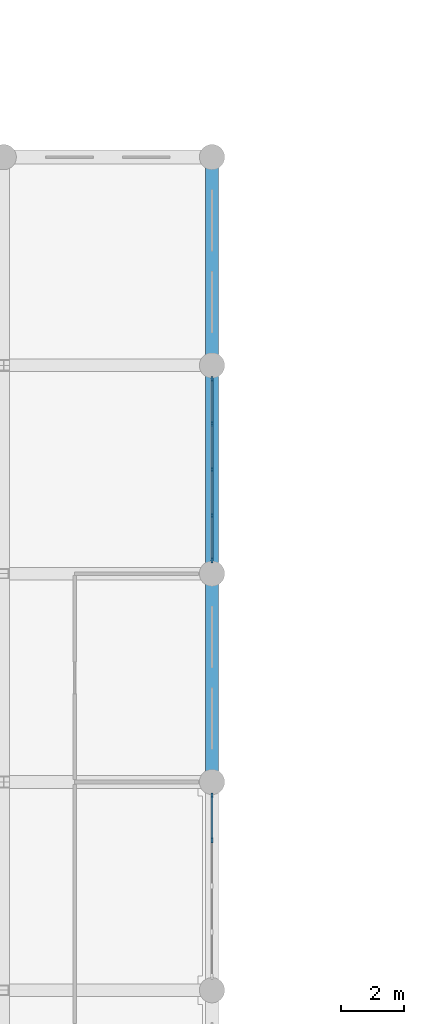
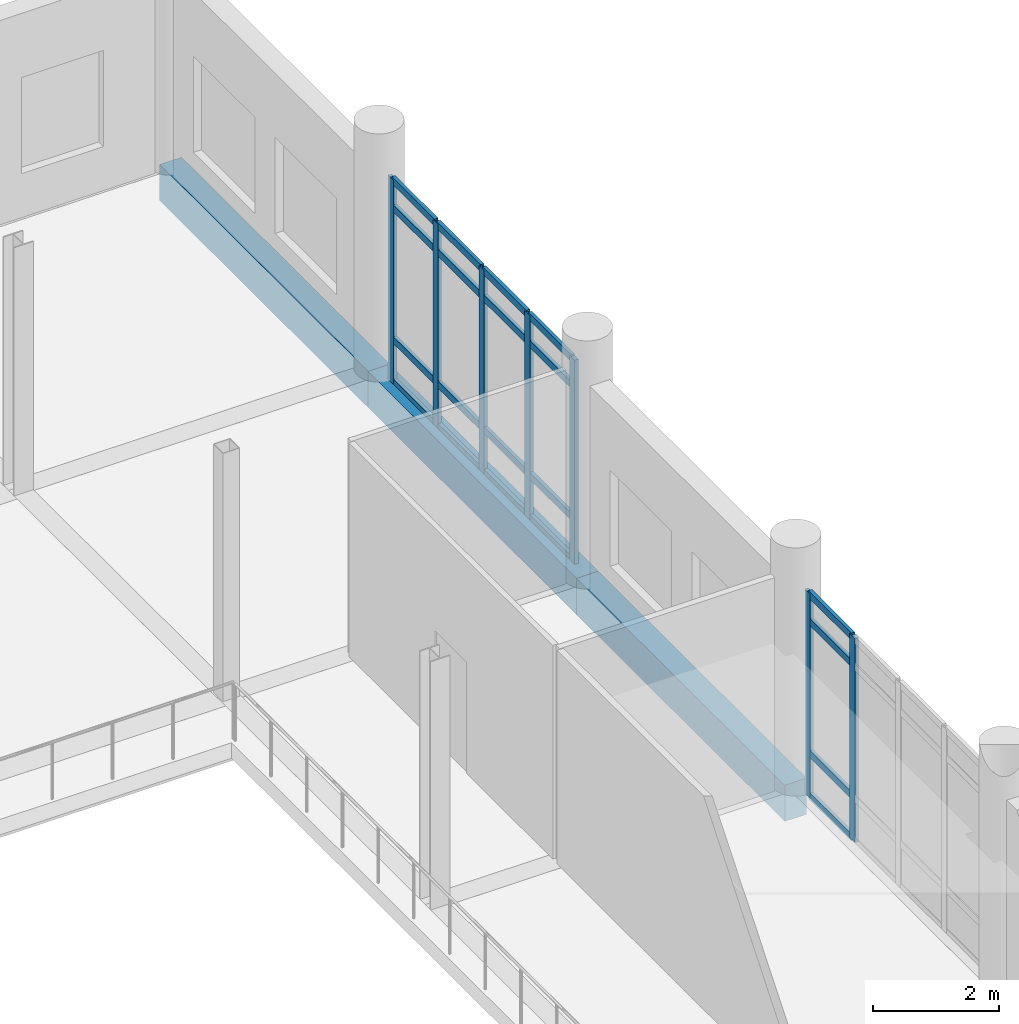
# One storey, part 31 of 101: 27 members, 3 beams, 2 elements without a shape of their own.
"""IFC4 building model written with IfcOpenShell, lengths in metres."""

from ifc_helpers import new_model, si_unit, direction, frame, origin, origin_2d, place, context, subcontext, project, spatial, rectangle, extrude, material, material_profile, profile_set, type_object, element, aggregate, save


model = new_model("IFC4")

# Units and contexts
model_context = context("Model", 3, precision=1e-05, world=origin(), true_north=direction((0.0, 1.0)))
body_context = subcontext(model_context, "Body", "Model", "MODEL_VIEW")
ifc_project = project(units=[si_unit("LENGTHUNIT", "METRE"), si_unit("AREAUNIT", "SQUARE_METRE"), si_unit("VOLUMEUNIT", "CUBIC_METRE"), si_unit("PLANEANGLEUNIT", "RADIAN"), si_unit("MASSUNIT", "GRAM", prefix="KILO")], contexts=[model_context])

# Site, building, storey
site_placement = place(None, origin())
site = spatial("IfcSite", under=ifc_project, at=site_placement, CompositionType="ELEMENT")
building_placement = place(site_placement, origin())
building = spatial("IfcBuilding", under=site, at=building_placement, Name="Dornvale Research Institute", CompositionType="ELEMENT")
storey_placement = place(building_placement, frame((0.0, 0.0, 10.199951171875)))
storey = spatial("IfcBuildingStorey", under=building, at=storey_placement, Name="L02", CompositionType="ELEMENT", Elevation=10.199951171875)

# Curtain wall, members
ifc_material_1 = material(Name="Low-E Argon Double Insulating Glazing Unit", Category="glass")
curtain_wall_type = type_object("IfcCurtainWallType", Name="UnitisedCurtainWall_V2_5810x3950", PredefinedType="USERDEFINED", material=ifc_material_1)
curtain_wall_1_placement = place(storey_placement, origin())
curtain_wall_1 = element("IfcCurtainWall", 1, at=curtain_wall_1_placement, inside=storey, type_object=curtain_wall_type, Name="L02 V2 unitised curtain wall CW-02 #12", ObjectType="UNITISED CURTAIN WALL", PredefinedType="USERDEFINED")
ifc_material_2 = material(Name="Anodized Aluminum AA 6063-T6 Thermally Broken Frame", Category="aluminium")
ifc_material_profile_1 = material_profile(ifc_material_2, rectangle(XDim=0.06494140625, YDim=0.1650390625, at=origin_2d()), Name="ALU MULLION 65x165")
ifc_profile_set_1 = profile_set([ifc_material_profile_1], Name="Anodized Aluminum AA 6063-T6 Thermally Broken Frame")
member_type_1 = type_object("IfcMemberType", Name="Mullion_Atrium_65x165", PredefinedType="MULLION", material=ifc_profile_set_1)
member_1_placement = place(storey_placement, frame((66.0, 78.7724609375, 0.0), z_axis=(0.0, 0.0, 1.0), x_axis=(1.0, 0.0, 0.0)))
member_1 = element("IfcMember", 2, at=member_1_placement, type_object=member_type_1, Name="CW-02 mullion 1", PredefinedType="MULLION", context=body_context, shape_type="SweptSolid", body=[
    extrude(rectangle(XDim=0.06494140625, YDim=0.1650390625, at=origin_2d()), origin(), (0.0, 0.0, 1.0), 3.949951171875),
])
member_2_placement = place(storey_placement, frame((66.0, 77.3525390625, 0.0), z_axis=(0.0, 0.0, 1.0), x_axis=(1.0, 0.0, 0.0)))
member_2 = element("IfcMember", 3, at=member_2_placement, type_object=member_type_1, Name="CW-02 mullion 2", PredefinedType="MULLION", context=body_context, shape_type="SweptSolid", body=[
    extrude(rectangle(XDim=0.06494140625, YDim=0.1650390625, at=origin_2d()), origin(), (0.0, 0.0, 1.0), 3.949951171875),
])
member_3_placement = place(storey_placement, frame((66.0, 75.89990234375, 0.0), z_axis=(0.0, 0.0, 1.0), x_axis=(1.0, 0.0, 0.0)))
member_3 = element("IfcMember", 4, at=member_3_placement, type_object=member_type_1, Name="CW-02 mullion 3", PredefinedType="MULLION", context=body_context, shape_type="SweptSolid", body=[
    extrude(rectangle(XDim=0.06494140625, YDim=0.1650390625, at=origin_2d()), origin(), (0.0, 0.0, 1.0), 3.949951171875),
])
member_4_placement = place(storey_placement, frame((66.0, 74.447509765625, 0.0), z_axis=(0.0, 0.0, 1.0), x_axis=(1.0, 0.0, 0.0)))
member_4 = element("IfcMember", 5, at=member_4_placement, type_object=member_type_1, Name="CW-02 mullion 4", PredefinedType="MULLION", context=body_context, shape_type="SweptSolid", body=[
    extrude(rectangle(XDim=0.06494140625, YDim=0.1650390625, at=origin_2d()), origin(), (0.0, 0.0, 1.0), 3.949951171875),
])
member_5_placement = place(storey_placement, frame((66.0, 73.027587890625, 0.0), z_axis=(0.0, 0.0, 1.0), x_axis=(1.0, 0.0, 0.0)))
member_5 = element("IfcMember", 6, at=member_5_placement, type_object=member_type_1, Name="CW-02 mullion 5", PredefinedType="MULLION", context=body_context, shape_type="SweptSolid", body=[
    extrude(rectangle(XDim=0.06494140625, YDim=0.1650390625, at=origin_2d()), origin(), (0.0, 0.0, 1.0), 3.949951171875),
])

curtain_wall_2_placement = place(storey_placement, origin())
curtain_wall_2 = element("IfcCurtainWall", 7, at=curtain_wall_2_placement, inside=storey, type_object=curtain_wall_type, Name="L02 V2 unitised curtain wall CW-02 #13", ObjectType="UNITISED CURTAIN WALL", PredefinedType="USERDEFINED")
member_6_placement = place(storey_placement, frame((66.0, 65.572509765625, 0.0), z_axis=(0.0, 0.0, 1.0), x_axis=(1.0, 0.0, 0.0)))
member_6 = element("IfcMember", 8, at=member_6_placement, type_object=member_type_1, Name="CW-02 mullion 1", PredefinedType="MULLION", context=body_context, shape_type="SweptSolid", body=[
    extrude(rectangle(XDim=0.06494140625, YDim=0.1650390625, at=origin_2d()), origin(), (0.0, 0.0, 1.0), 3.949951171875),
])
member_7_placement = place(storey_placement, frame((66.0, 64.152587890625, 0.0), z_axis=(0.0, 0.0, 1.0), x_axis=(1.0, 0.0, 0.0)))
member_7 = element("IfcMember", 9, at=member_7_placement, type_object=member_type_1, Name="CW-02 mullion 2", PredefinedType="MULLION", context=body_context, shape_type="SweptSolid", body=[
    extrude(rectangle(XDim=0.06494140625, YDim=0.1650390625, at=origin_2d()), origin(), (0.0, 0.0, 1.0), 3.949951171875),
])

# Beams
ifc_material_3 = material(Name="Concrete f'c 45 MPa (C35/45)", Category="concrete")
ifc_material_profile_2 = material_profile(ifc_material_3, rectangle(XDim=0.39990234375, YDim=0.699951171875, at=origin_2d()), Name="RC 400x700")
ifc_profile_set_2 = profile_set([ifc_material_profile_2], Name="Concrete f'c 45 MPa (C35/45)")
beam_type = type_object("IfcBeamType", Name="Spandrel_RC400x700_Ext", PredefinedType="SPANDREL", material=ifc_profile_set_2)
beam_1_placement = place(storey_placement, frame((66.0, 66.0, -0.349853515625), z_axis=(0.0, 1.0, 0.0), x_axis=(-1.0, 0.0, 0.0)))
element("IfcBeam", 10, at=beam_1_placement, inside=storey, type_object=beam_type, Name="L02 perimeter spandrel #830", PredefinedType="SPANDREL", context=body_context, shape_type="SweptSolid", body=[
    extrude(rectangle(XDim=0.39990234375, YDim=0.699951171875, at=origin_2d()), origin(), (0.0, 0.0, 1.0), 6.60009765625),
])
beam_2_placement = place(storey_placement, frame((66.0, 72.60009765625, -0.349853515625), z_axis=(0.0, 1.0, 0.0), x_axis=(-1.0, 0.0, 0.0)))
element("IfcBeam", 11, at=beam_2_placement, inside=storey, type_object=beam_type, Name="L02 perimeter spandrel #831", PredefinedType="SPANDREL", context=body_context, shape_type="SweptSolid", body=[
    extrude(rectangle(XDim=0.39990234375, YDim=0.699951171875, at=origin_2d()), origin(), (0.0, 0.0, 1.0), 6.599853515625),
])
beam_3_placement = place(storey_placement, frame((66.0, 79.199951171875, -0.349853515625), z_axis=(0.0, 1.0, 0.0), x_axis=(-1.0, 0.0, 0.0)))
element("IfcBeam", 12, at=beam_3_placement, inside=storey, type_object=beam_type, Name="L02 perimeter spandrel #832", PredefinedType="SPANDREL", context=body_context, shape_type="SweptSolid", body=[
    extrude(rectangle(XDim=0.39990234375, YDim=0.699951171875, at=origin_2d()), origin(), (0.0, 0.0, 1.0), 6.60009765625),
])

# Member
ifc_material_4 = material(Name="Anodized Aluminum AA 6063-T6 Thermally Broken Frame", Category="aluminium")
ifc_material_profile_3 = material_profile(ifc_material_4, rectangle(XDim=0.06494140625, YDim=0.135009765625, at=origin_2d()), Name="ALU TRANSOM 65x135")
ifc_profile_set_3 = profile_set([ifc_material_profile_3], Name="Anodized Aluminum AA 6063-T6 Thermally Broken Frame")
member_type_2 = type_object("IfcMemberType", Name="Transom_CW_65x135", PredefinedType="USERDEFINED", material=ifc_profile_set_3)
member_8_placement = place(storey_placement, frame((66.0, 78.739990234375, 0.032470703125), z_axis=(0.0, -1.0, 0.0), x_axis=(1.0, 0.0, 0.0)))
member_8 = element("IfcMember", 13, at=member_8_placement, type_object=member_type_2, Name="CW-02 transom 1.1", ObjectType="TRANSOM", PredefinedType="USERDEFINED", context=body_context, shape_type="SweptSolid", body=[
    extrude(rectangle(XDim=0.06494140625, YDim=0.135009765625, at=origin_2d()), origin(), (0.0, 0.0, 1.0), 1.35498046875),
])

member_9_placement = place(storey_placement, frame((66.0, 78.739990234375, 0.85009765625), z_axis=(0.0, -1.0, 0.0), x_axis=(1.0, 0.0, 0.0)))
member_9 = element("IfcMember", 14, at=member_9_placement, type_object=member_type_2, Name="CW-02 transom 1.2", ObjectType="TRANSOM", PredefinedType="USERDEFINED", context=body_context, shape_type="SweptSolid", body=[
    extrude(rectangle(XDim=0.06494140625, YDim=0.135009765625, at=origin_2d()), origin(), (0.0, 0.0, 1.0), 1.35498046875),
])

member_10_placement = place(storey_placement, frame((66.0, 78.739990234375, 3.400146484375), z_axis=(0.0, -1.0, 0.0), x_axis=(1.0, 0.0, 0.0)))
member_10 = element("IfcMember", 15, at=member_10_placement, type_object=member_type_2, Name="CW-02 transom 1.3", ObjectType="TRANSOM", PredefinedType="USERDEFINED", context=body_context, shape_type="SweptSolid", body=[
    extrude(rectangle(XDim=0.06494140625, YDim=0.135009765625, at=origin_2d()), origin(), (0.0, 0.0, 1.0), 1.35498046875),
])

member_11_placement = place(storey_placement, frame((66.0, 78.739990234375, 3.91748046875), z_axis=(0.0, -1.0, 0.0), x_axis=(1.0, 0.0, 0.0)))
member_11 = element("IfcMember", 16, at=member_11_placement, type_object=member_type_2, Name="CW-02 transom 1.4", ObjectType="TRANSOM", PredefinedType="USERDEFINED", context=body_context, shape_type="SweptSolid", body=[
    extrude(rectangle(XDim=0.06494140625, YDim=0.135009765625, at=origin_2d()), origin(), (0.0, 0.0, 1.0), 1.35498046875),
])

member_12_placement = place(storey_placement, frame((66.0, 77.320068359375, 0.032470703125), z_axis=(0.0, -1.0, 0.0), x_axis=(1.0, 0.0, 0.0)))
member_12 = element("IfcMember", 17, at=member_12_placement, type_object=member_type_2, Name="CW-02 transom 2.1", ObjectType="TRANSOM", PredefinedType="USERDEFINED", context=body_context, shape_type="SweptSolid", body=[
    extrude(rectangle(XDim=0.06494140625, YDim=0.135009765625, at=origin_2d()), origin(), (0.0, 0.0, 1.0), 1.387451171875),
])

member_13_placement = place(storey_placement, frame((66.0, 77.320068359375, 0.85009765625), z_axis=(0.0, -1.0, 0.0), x_axis=(1.0, 0.0, 0.0)))
member_13 = element("IfcMember", 18, at=member_13_placement, type_object=member_type_2, Name="CW-02 transom 2.2", ObjectType="TRANSOM", PredefinedType="USERDEFINED", context=body_context, shape_type="SweptSolid", body=[
    extrude(rectangle(XDim=0.06494140625, YDim=0.135009765625, at=origin_2d()), origin(), (0.0, 0.0, 1.0), 1.387451171875),
])

member_14_placement = place(storey_placement, frame((66.0, 77.320068359375, 3.400146484375), z_axis=(0.0, -1.0, 0.0), x_axis=(1.0, 0.0, 0.0)))
member_14 = element("IfcMember", 19, at=member_14_placement, type_object=member_type_2, Name="CW-02 transom 2.3", ObjectType="TRANSOM", PredefinedType="USERDEFINED", context=body_context, shape_type="SweptSolid", body=[
    extrude(rectangle(XDim=0.06494140625, YDim=0.135009765625, at=origin_2d()), origin(), (0.0, 0.0, 1.0), 1.387451171875),
])

member_15_placement = place(storey_placement, frame((66.0, 77.320068359375, 3.91748046875), z_axis=(0.0, -1.0, 0.0), x_axis=(1.0, 0.0, 0.0)))
member_15 = element("IfcMember", 20, at=member_15_placement, type_object=member_type_2, Name="CW-02 transom 2.4", ObjectType="TRANSOM", PredefinedType="USERDEFINED", context=body_context, shape_type="SweptSolid", body=[
    extrude(rectangle(XDim=0.06494140625, YDim=0.135009765625, at=origin_2d()), origin(), (0.0, 0.0, 1.0), 1.387451171875),
])

member_16_placement = place(storey_placement, frame((66.0, 75.867431640625, 0.032470703125), z_axis=(0.0, -1.0, 0.0), x_axis=(1.0, 0.0, 0.0)))
member_16 = element("IfcMember", 21, at=member_16_placement, type_object=member_type_2, Name="CW-02 transom 3.1", ObjectType="TRANSOM", PredefinedType="USERDEFINED", context=body_context, shape_type="SweptSolid", body=[
    extrude(rectangle(XDim=0.06494140625, YDim=0.135009765625, at=origin_2d()), origin(), (0.0, 0.0, 1.0), 1.387451171875),
])

member_17_placement = place(storey_placement, frame((66.0, 75.867431640625, 0.85009765625), z_axis=(0.0, -1.0, 0.0), x_axis=(1.0, 0.0, 0.0)))
member_17 = element("IfcMember", 22, at=member_17_placement, type_object=member_type_2, Name="CW-02 transom 3.2", ObjectType="TRANSOM", PredefinedType="USERDEFINED", context=body_context, shape_type="SweptSolid", body=[
    extrude(rectangle(XDim=0.06494140625, YDim=0.135009765625, at=origin_2d()), origin(), (0.0, 0.0, 1.0), 1.387451171875),
])

member_18_placement = place(storey_placement, frame((66.0, 75.867431640625, 3.400146484375), z_axis=(0.0, -1.0, 0.0), x_axis=(1.0, 0.0, 0.0)))
member_18 = element("IfcMember", 23, at=member_18_placement, type_object=member_type_2, Name="CW-02 transom 3.3", ObjectType="TRANSOM", PredefinedType="USERDEFINED", context=body_context, shape_type="SweptSolid", body=[
    extrude(rectangle(XDim=0.06494140625, YDim=0.135009765625, at=origin_2d()), origin(), (0.0, 0.0, 1.0), 1.387451171875),
])

member_19_placement = place(storey_placement, frame((66.0, 75.867431640625, 3.91748046875), z_axis=(0.0, -1.0, 0.0), x_axis=(1.0, 0.0, 0.0)))
member_19 = element("IfcMember", 24, at=member_19_placement, type_object=member_type_2, Name="CW-02 transom 3.4", ObjectType="TRANSOM", PredefinedType="USERDEFINED", context=body_context, shape_type="SweptSolid", body=[
    extrude(rectangle(XDim=0.06494140625, YDim=0.135009765625, at=origin_2d()), origin(), (0.0, 0.0, 1.0), 1.387451171875),
])

member_20_placement = place(storey_placement, frame((66.0, 74.4150390625, 0.032470703125), z_axis=(0.0, -1.0, 0.0), x_axis=(1.0, 0.0, 0.0)))
member_20 = element("IfcMember", 25, at=member_20_placement, type_object=member_type_2, Name="CW-02 transom 4.1", ObjectType="TRANSOM", PredefinedType="USERDEFINED", context=body_context, shape_type="SweptSolid", body=[
    extrude(rectangle(XDim=0.06494140625, YDim=0.135009765625, at=origin_2d()), origin(), (0.0, 0.0, 1.0), 1.35498046875),
])

member_21_placement = place(storey_placement, frame((66.0, 74.4150390625, 0.85009765625), z_axis=(0.0, -1.0, 0.0), x_axis=(1.0, 0.0, 0.0)))
member_21 = element("IfcMember", 26, at=member_21_placement, type_object=member_type_2, Name="CW-02 transom 4.2", ObjectType="TRANSOM", PredefinedType="USERDEFINED", context=body_context, shape_type="SweptSolid", body=[
    extrude(rectangle(XDim=0.06494140625, YDim=0.135009765625, at=origin_2d()), origin(), (0.0, 0.0, 1.0), 1.35498046875),
])

member_22_placement = place(storey_placement, frame((66.0, 74.4150390625, 3.400146484375), z_axis=(0.0, -1.0, 0.0), x_axis=(1.0, 0.0, 0.0)))
member_22 = element("IfcMember", 27, at=member_22_placement, type_object=member_type_2, Name="CW-02 transom 4.3", ObjectType="TRANSOM", PredefinedType="USERDEFINED", context=body_context, shape_type="SweptSolid", body=[
    extrude(rectangle(XDim=0.06494140625, YDim=0.135009765625, at=origin_2d()), origin(), (0.0, 0.0, 1.0), 1.35498046875),
])

member_23_placement = place(storey_placement, frame((66.0, 74.4150390625, 3.91748046875), z_axis=(0.0, -1.0, 0.0), x_axis=(1.0, 0.0, 0.0)))
member_23 = element("IfcMember", 28, at=member_23_placement, type_object=member_type_2, Name="CW-02 transom 4.4", ObjectType="TRANSOM", PredefinedType="USERDEFINED", context=body_context, shape_type="SweptSolid", body=[
    extrude(rectangle(XDim=0.06494140625, YDim=0.135009765625, at=origin_2d()), origin(), (0.0, 0.0, 1.0), 1.35498046875),
])

aggregate(curtain_wall_1, [member_1, member_2, member_3, member_4, member_5, member_8, member_9, member_10, member_11, member_12, member_13, member_14, member_15, member_16, member_17, member_18, member_19, member_20, member_21, member_22, member_23])

member_24_placement = place(storey_placement, frame((66.0, 65.5400390625, 0.032470703125), z_axis=(0.0, -1.0, 0.0), x_axis=(1.0, 0.0, 0.0)))
member_24 = element("IfcMember", 29, at=member_24_placement, type_object=member_type_2, Name="CW-02 transom 1.1", ObjectType="TRANSOM", PredefinedType="USERDEFINED", context=body_context, shape_type="SweptSolid", body=[
    extrude(rectangle(XDim=0.06494140625, YDim=0.135009765625, at=origin_2d()), origin(), (0.0, 0.0, 1.0), 1.35498046875),
])

member_25_placement = place(storey_placement, frame((66.0, 65.5400390625, 0.85009765625), z_axis=(0.0, -1.0, 0.0), x_axis=(1.0, 0.0, 0.0)))
member_25 = element("IfcMember", 30, at=member_25_placement, type_object=member_type_2, Name="CW-02 transom 1.2", ObjectType="TRANSOM", PredefinedType="USERDEFINED", context=body_context, shape_type="SweptSolid", body=[
    extrude(rectangle(XDim=0.06494140625, YDim=0.135009765625, at=origin_2d()), origin(), (0.0, 0.0, 1.0), 1.35498046875),
])

member_26_placement = place(storey_placement, frame((66.0, 65.5400390625, 3.400146484375), z_axis=(0.0, -1.0, 0.0), x_axis=(1.0, 0.0, 0.0)))
member_26 = element("IfcMember", 31, at=member_26_placement, type_object=member_type_2, Name="CW-02 transom 1.3", ObjectType="TRANSOM", PredefinedType="USERDEFINED", context=body_context, shape_type="SweptSolid", body=[
    extrude(rectangle(XDim=0.06494140625, YDim=0.135009765625, at=origin_2d()), origin(), (0.0, 0.0, 1.0), 1.35498046875),
])

member_27_placement = place(storey_placement, frame((66.0, 65.5400390625, 3.91748046875), z_axis=(0.0, -1.0, 0.0), x_axis=(1.0, 0.0, 0.0)))
member_27 = element("IfcMember", 32, at=member_27_placement, type_object=member_type_2, Name="CW-02 transom 1.4", ObjectType="TRANSOM", PredefinedType="USERDEFINED", context=body_context, shape_type="SweptSolid", body=[
    extrude(rectangle(XDim=0.06494140625, YDim=0.135009765625, at=origin_2d()), origin(), (0.0, 0.0, 1.0), 1.35498046875),
])

aggregate(curtain_wall_2, [member_6, member_7, member_24, member_25, member_26, member_27])

save(model, "model.ifc")
